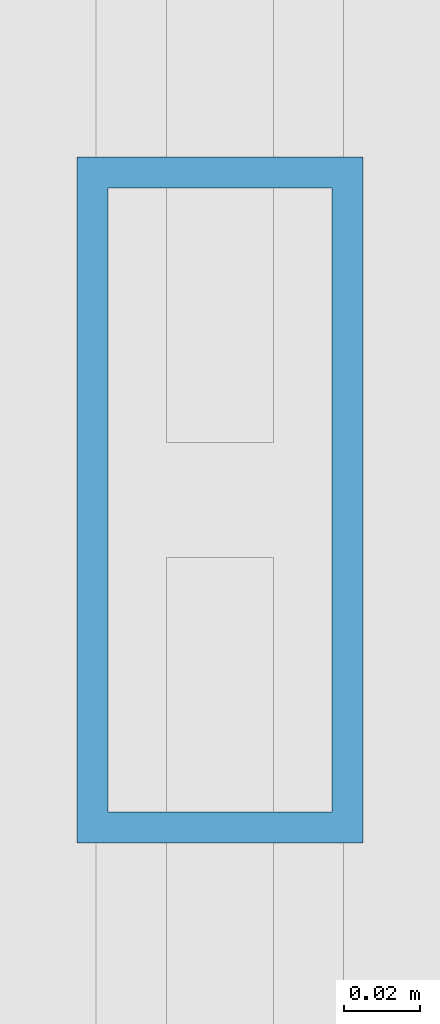
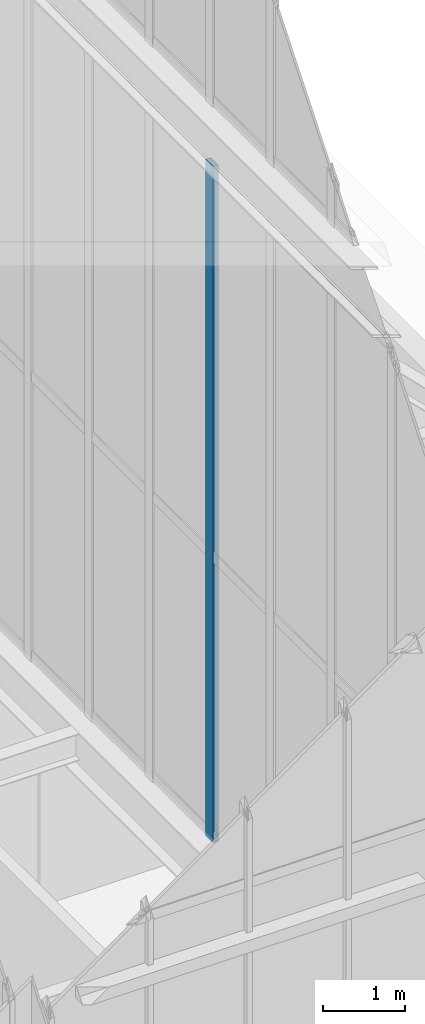
# One storey, part 58 of 135: 1 member, 1 element without a shape of its own.
"""IFC4 building model written with IfcOpenShell, lengths in metres."""

from ifc_helpers import new_model, si_unit, direction, frame, origin, origin_2d, place, context, subcontext, project, spatial, hollow_rectangle, extrude, source, transform, mapped, material, layer, layer_set, material_profile, profile_set, type_object, element, aggregate, save


model = new_model("IFC4")

# Units and contexts
model_context = context("Model", 3, precision=1e-05, world=origin(), true_north=direction((0.0, 1.0)))
body_context = subcontext(model_context, "Body", "Model", "MODEL_VIEW")
ifc_project = project(units=[si_unit("LENGTHUNIT", "METRE"), si_unit("AREAUNIT", "SQUARE_METRE"), si_unit("VOLUMEUNIT", "CUBIC_METRE"), si_unit("PLANEANGLEUNIT", "RADIAN"), si_unit("MASSUNIT", "GRAM", prefix="KILO")], contexts=[model_context])

# Site, building, storey
site_placement = place(None, origin())
site = spatial("IfcSite", under=ifc_project, at=site_placement, CompositionType="ELEMENT")
building_placement = place(site_placement, origin())
building = spatial("IfcBuilding", under=site, at=building_placement, Name="Giltprow Tower", CompositionType="ELEMENT")
storey_placement = place(building_placement, frame((0.0, 0.0, 352.699951171875)))
storey = spatial("IfcBuildingStorey", under=building, at=storey_placement, Name="L92", CompositionType="ELEMENT", Elevation=352.699951171875)

# Curtain wall, member
ifc_material = material(Name="Anodized bronze", Category="metal")
ifc_layer = layer(ifc_material, 0.179931640625, Name="Anodized bronze")
ifc_layer_set = layer_set([ifc_layer], Name="Anodized bronze")
curtain_wall_type = type_object("IfcCurtainWallType", Name="CW-CROWN-LANTERN", PredefinedType="NOTDEFINED", material=ifc_layer_set)
curtain_wall_placement = place(storey_placement, origin())
curtain_wall = element("IfcCurtainWall", 1, at=curtain_wall_placement, inside=storey, type_object=curtain_wall_type, Name="Crown East Lower Lantern Glazing 2", PredefinedType="NOTDEFINED")
ifc_material_profile = material_profile(ifc_material, hollow_rectangle(XDim=0.074951171875, YDim=0.179931640625, WallThickness=0.008056640625, at=origin_2d()), Name="RHS 180x75x8")
ifc_profile_set = profile_set([ifc_material_profile], Name="Anodized bronze")
member_type = type_object("IfcMemberType", Name="CW-MULLION-180x75", PredefinedType="MULLION", material=ifc_profile_set)
shared_shape = source(origin(), body_context, "Body", "SweptSolid", [
    extrude(hollow_rectangle(XDim=0.074951171875, YDim=0.179931640625, WallThickness=0.008056640625, at=origin_2d()), origin(), (0.0, 0.0, 1.0), 10.030029296875),
])
member_placement = place(storey_placement, frame((50.550048828125, 29.739013671875, 6.35009765625), z_axis=(0.0, 0.0, 1.0), x_axis=(1.0, 0.0, 0.0)))
member = element("IfcMember", 2, at=member_placement, type_object=member_type, Name="Crown East Lower Lantern Glazing 2 Mullion 5", PredefinedType="MULLION", context=body_context, shape_type="MappedRepresentation", body=[
    mapped(shared_shape, transform((0.0, 0.0, 0.0), x_axis=(1.0, 0.0, 0.0), y_axis=(0.0, 1.0, 0.0), z_axis=(0.0, 0.0, 1.0), scale=1.0)),
])
aggregate(curtain_wall, [member])

save(model, "model.ifc")
